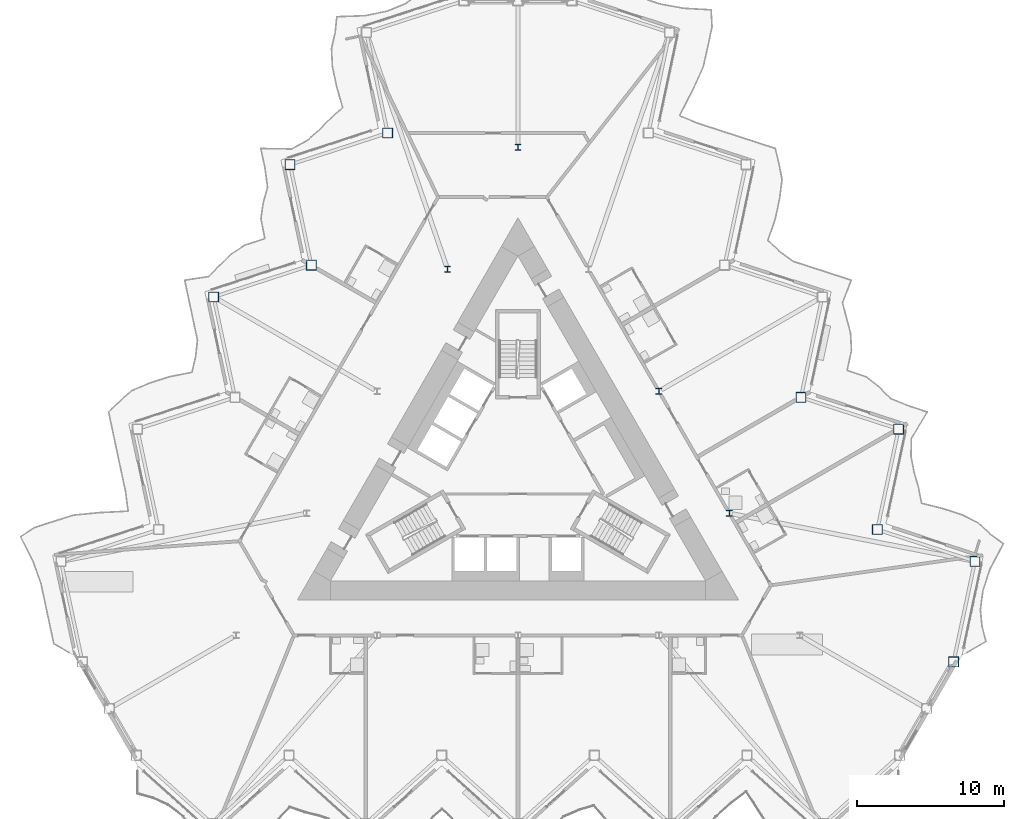
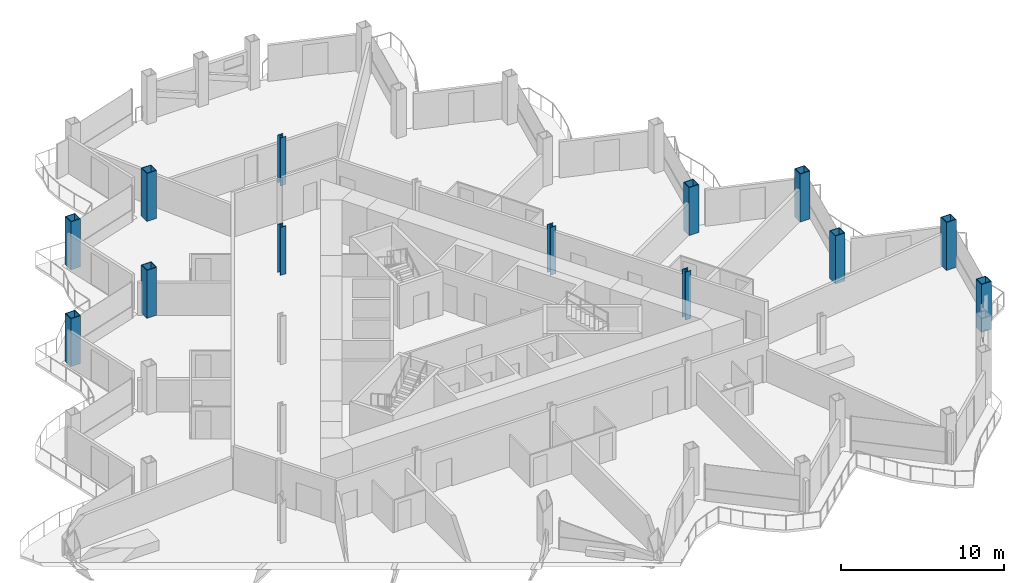
# One storey, part 2 of 24: 13 columns.
"""IFC4 building model written with IfcOpenShell, lengths in metres."""

import ifcopenshell
import ifcopenshell.guid

model = None  # the IFC model being written
_history = None  # IfcOwnerHistory: only IFC2X3 demands one
_inside = {}  # id of a spatial element -> (the spatial element, [elements in it])
_under = {}  # id of a project, library or spatial element -> (it, [spatial elements below it])
_declared = {}  # id of a project -> (the project, [libraries it declares])
_typed = {}  # id of a type object -> (the type object, [elements of that type])
_made_of = {}  # id of a material, layer set ... -> (it, [elements and type objects made of it])


def new_model(schema):
    """Start an empty IFC model of exactly this schema.

    Asked for "IFC4X3", IfcOpenShell would pick the latest addendum, in which some entities
    have other attributes; the version numbers below select the first issue.
    IFC2X3 requires an IfcOwnerHistory on every rooted entity: one is made here for all.
    """
    global model, _history
    if schema == "IFC4X3":
        model = ifcopenshell.file(schema_version=(4, 3, 0, 0))
    else:
        model = ifcopenshell.file(schema=schema)
    _inside.clear()
    _under.clear()
    _declared.clear()
    _typed.clear()
    _made_of.clear()
    _history = None
    if model.schema == "IFC2X3":
        org = make("IfcOrganization", Name="unknown")
        user = make(
            "IfcPersonAndOrganization",
            ThePerson=make("IfcPerson", FamilyName="unknown"),
            TheOrganization=org,
        )
        app = make(
            "IfcApplication",
            ApplicationDeveloper=org,
            Version="unknown",
            ApplicationFullName="unknown",
            ApplicationIdentifier="unknown",
        )
        _history = make(
            "IfcOwnerHistory",
            OwningUser=user,
            OwningApplication=app,
            ChangeAction="ADDED",
            CreationDate=0,
        )
    return model


def make(cls, **values):
    """One entity of the class cls with the attributes given. An attribute that is None is left unset."""
    return model.create_entity(
        cls, **{name: value for name, value in values.items() if value is not None}
    )


def rooted(cls, **values):
    """An entity with a GlobalId (a new one), such as an element, a storey or a relation."""
    return make(cls, GlobalId=ifcopenshell.guid.new(), OwnerHistory=_history, **values)


def si_unit(unit_type, name, prefix=None):
    """IfcSIUnit, for example si_unit("LENGTHUNIT", "METRE", prefix="MILLI")."""
    return make("IfcSIUnit", UnitType=unit_type, Prefix=prefix, Name=name)


def assignment(units):
    """IfcUnitAssignment: the units of a project."""
    return None if units is None else make("IfcUnitAssignment", Units=units)


def point(xyz):
    """IfcCartesianPoint."""
    return None if xyz is None else make("IfcCartesianPoint", Coordinates=xyz)


def direction(xyz):
    """IfcDirection."""
    return None if xyz is None else make("IfcDirection", DirectionRatios=xyz)


def frame(location, z_axis=None, x_axis=None):
    """IfcAxis2Placement3D, a coordinate frame: its origin and axes. An axis left out is left unset."""
    return make(
        "IfcAxis2Placement3D",
        Location=point(location),
        Axis=direction(z_axis),
        RefDirection=direction(x_axis),
    )


def frame_2d(location, x_axis=None):
    """IfcAxis2Placement2D, a coordinate frame in the plane: its origin and x axis."""
    return make(
        "IfcAxis2Placement2D", Location=point(location), RefDirection=direction(x_axis)
    )


def origin():
    """The frame at (0, 0, 0) with its axes left unset."""
    return frame((0.0, 0.0, 0.0))


def origin_2d():
    """The frame at (0, 0) in the plane with its x axis left unset."""
    return frame_2d((0.0, 0.0))


def place(relative_to, where):
    """IfcLocalPlacement: puts the frame where relative to a parent placement (None: the world)."""
    return make(
        "IfcLocalPlacement", PlacementRelTo=relative_to, RelativePlacement=where
    )


def context(
    kind, dimensions, precision=None, world=None, true_north=None, identifier=None
):
    """IfcGeometricRepresentationContext, for example the 3D "Model" context."""
    return make(
        "IfcGeometricRepresentationContext",
        ContextIdentifier=identifier,
        ContextType=kind,
        CoordinateSpaceDimension=dimensions,
        Precision=precision,
        WorldCoordinateSystem=world,
        TrueNorth=true_north,
    )


def subcontext(parent, identifier, kind, view, scale=None):
    """IfcGeometricRepresentationSubContext, for example "Body" below "Model"."""
    return make(
        "IfcGeometricRepresentationSubContext",
        ContextIdentifier=identifier,
        ContextType=kind,
        ParentContext=parent,
        TargetScale=scale,
        TargetView=view,
    )


def project(units=None, contexts=None):
    """IfcProject with its units and contexts."""
    return rooted(
        "IfcProject",
        Name="project",
        RepresentationContexts=contexts,
        UnitsInContext=assignment(units),
    )


def spatial(cls, under=None, at=None, **own):
    """A site, building, storey or space (cls), placed at a placement, below another one or the project."""
    s = rooted(cls, ObjectPlacement=at, **own)
    if under is not None:
        _under.setdefault(under.id(), (under, []))[1].append(s)
    return s


def profile(cls, at=None, kind="AREA", **sizes):
    """A parametric profile (cls). Its sizes go by their IFC names, for example OverallWidth=200.0."""
    return make(cls, ProfileType=kind, Position=at, **sizes)


def hollow_rectangle(**sizes):
    """IfcRectangleHollowProfileDef."""
    return profile("IfcRectangleHollowProfileDef", **sizes)


def i_section(**sizes):
    """IfcIShapeProfileDef."""
    return profile("IfcIShapeProfileDef", **sizes)


def extrude(swept, where, along, depth):
    """IfcExtrudedAreaSolid: the profile swept, set in the frame where, extruded along a direction by depth."""
    return make(
        "IfcExtrudedAreaSolid",
        SweptArea=swept,
        Position=where,
        ExtrudedDirection=direction(along),
        Depth=depth,
    )


def shape(context_of_items, identifier, shape_type, items):
    """IfcShapeRepresentation: the items that make up one representation, for example the "Body"."""
    return make(
        "IfcShapeRepresentation",
        ContextOfItems=context_of_items,
        RepresentationIdentifier=identifier,
        RepresentationType=shape_type,
        Items=items,
    )


def material(Name=None, Category=None):
    """IfcMaterial."""
    return make("IfcMaterial", Name=Name, Category=Category)


def material_profile(
    of_material, cross_section, Name=None, Category=None, Priority=None
):
    """IfcMaterialProfile: a cross section and its material."""
    return make(
        "IfcMaterialProfile",
        Name=Name,
        Material=of_material,
        Profile=cross_section,
        Priority=Priority,
        Category=Category,
    )


def profile_set(profiles, Name=None, composite=None):
    """IfcMaterialProfileSet."""
    return make(
        "IfcMaterialProfileSet",
        Name=Name,
        MaterialProfiles=profiles,
        CompositeProfile=composite,
    )


def made_of(thing, what):
    """Note that an element or type object is made of a material, layer set ...; save() writes the relation."""
    if what is not None:
        _made_of.setdefault(what.id(), (what, []))[1].append(thing)
    return thing


def type_object(cls, material=None, **own):
    """A type object (cls), such as IfcWallType, which elements share."""
    return made_of(rooted(cls, **own), material)


def element(
    cls,
    number,
    at=None,
    inside=None,
    cuts=None,
    type_object=None,
    material=None,
    context=None,
    identifier="Body",
    shape_type=None,
    held_by="IfcProductDefinitionShape",
    body=None,
    shapes=None,
    **own,
):
    """One element of the class cls, such as IfcWall. Its Tag is "e" and its number.

    at: its placement. inside: the storey or other place that contains it. cuts: it is an
    opening in that element (IfcRelVoidsElement). A single representation is given by context,
    identifier, shape_type and body (its items); several are given by shapes. held_by: the class
    of the entity that holds the representations. save() writes the other relations.
    """
    e = rooted(cls, Tag="e%d" % number, ObjectPlacement=at, **own)
    if body is not None:
        shapes = [shape(context, identifier, shape_type, body)]
    if shapes is not None:
        e.Representation = make(held_by, Representations=shapes)
    if inside is not None:
        _inside.setdefault(inside.id(), (inside, []))[1].append(e)
    if cuts is not None:
        rooted(
            "IfcRelVoidsElement", RelatingBuildingElement=cuts, RelatedOpeningElement=e
        )
    if type_object is not None:
        _typed.setdefault(type_object.id(), (type_object, []))[1].append(e)
    return made_of(e, material)


def aggregate(whole, parts):
    """IfcRelAggregates: a whole, such as a stair, and the parts it consists of."""
    return rooted("IfcRelAggregates", RelatingObject=whole, RelatedObjects=parts)


def save(model, path):
    """Write the relations noted so far, then the file.

    IfcRelAggregates (storeys below a building ...), IfcRelContainedInSpatialStructure (elements
    in a storey), IfcRelDefinesByType, IfcRelAssociatesMaterial and IfcRelDeclares: one each for
    every whole, place, type object, material and project.
    """
    for whole, parts in _under.values():
        aggregate(whole, parts)
    for where, things in _inside.values():
        rooted(
            "IfcRelContainedInSpatialStructure",
            RelatedElements=things,
            RelatingStructure=where,
        )
    for kind, things in _typed.values():
        rooted("IfcRelDefinesByType", RelatedObjects=things, RelatingType=kind)
    for what, things in _made_of.values():
        rooted("IfcRelAssociatesMaterial", RelatedObjects=things, RelatingMaterial=what)
    for by, libraries in _declared.values():
        rooted("IfcRelDeclares", RelatingContext=by, RelatedDefinitions=libraries)
    model.write(path)


model = new_model("IFC4")

# Units and contexts
model_context = context("Model", 3, precision=1e-05, world=origin(), true_north=direction((0.0, 1.0)))
body_context = subcontext(model_context, "Body", "Model", "MODEL_VIEW")
ifc_project = project(units=[si_unit("LENGTHUNIT", "METRE"), si_unit("AREAUNIT", "SQUARE_METRE"), si_unit("VOLUMEUNIT", "CUBIC_METRE"), si_unit("PLANEANGLEUNIT", "RADIAN"), si_unit("MASSUNIT", "GRAM", prefix="KILO")], contexts=[model_context])

# Site, building, storey
site_placement = place(None, origin())
site = spatial("IfcSite", under=ifc_project, at=site_placement, CompositionType="ELEMENT")
building_placement = place(site_placement, origin())
building = spatial("IfcBuilding", under=site, at=building_placement, Name="Cormorant Prow Tower", CompositionType="ELEMENT")
storey_placement = place(building_placement, frame((0.0, 0.0, 238.199951171875)))
storey = spatial("IfcBuildingStorey", under=building, at=storey_placement, Name="L52", CompositionType="ELEMENT", Elevation=238.199951171875)

# Columns
ifc_material_1 = material(Name="Structural steel ASTM A572 Gr 50", Category="steel")
ifc_material_profile_1 = material_profile(ifc_material_1, hollow_rectangle(XDim=0.699951171875, YDim=0.699951171875, WallThickness=0.044921875, at=origin_2d()), Name="Box 700x700x45")
ifc_profile_set_1 = profile_set([ifc_material_profile_1], Name="Structural steel ASTM A572 Gr 50")
column_type_1 = type_object("IfcColumnType", Name="Perimeter box column 700x700x45", PredefinedType="COLUMN", material=ifc_profile_set_1)
for number, where, z_axis, x_axis, name in (
    (1, (29.611572265625, -12.858154296875, 0.0), (0.0, 0.0, 1.0), (1.0, 0.0, 0.0), "Perimeter column C5 at ENE00 L52"),
    (2, (31.063232421875, -6.029052734375, 0.0), (0.0, 0.0, 1.0), (1.0, 0.0, 0.0), "Perimeter column C5 at ENE01 L52"),
    (3, (24.42333984375, -3.871826171875, 0.0), (0.0, 0.0, 1.0), (1.0, 0.0, 0.0), "Perimeter column C5 at ENE02 L52"),
    (4, (25.875, 2.957275390625, 0.0), (0.0, 0.0, 1.0), (1.0, 0.0, 0.0), "Perimeter column C5 at ENE03 L52"),
    (5, (19.235107421875, 5.114501953125, 0.0), (0.0, 0.0, 1.0), (1.0, 0.0, 0.0), "Perimeter column C5 at ENE04 L52"),
    (6, (-8.858642578125, 23.087158203125, 0.0), (0.0, 0.0, 1.0), (1.0, 0.0, 0.0), "Perimeter column C5 at WNW02 L52"),
    (7, (-15.49853515625, 20.9296875, 0.0), (0.0, 0.0, 1.0), (1.0, 0.0, 0.0), "Perimeter column C5 at WNW03 L52"),
    (8, (-14.046875, 14.100830078125, 0.0), (0.0, 0.0, 1.0), (1.0, 0.0, 0.0), "Perimeter column C5 at WNW04 L52"),
    (9, (-20.686767578125, 11.943359375, 0.0), (0.0, 0.0, 1.0), (1.0, 0.0, 0.0), "Perimeter column C5 at WNW05 L52"),
):
    element("IfcColumn", number, at=place(storey_placement, frame(where, z_axis=z_axis, x_axis=x_axis)), inside=storey, type_object=column_type_1, Name=name, PredefinedType="COLUMN", context=body_context, shape_type="SweptSolid", body=[
        extrude(hollow_rectangle(XDim=0.699951171875, YDim=0.699951171875, WallThickness=0.044921875, at=origin_2d()), origin(), (0.0, 0.0, 1.0), 3.60009765625),
    ])
ifc_material_2 = material(Name="Structural steel ASTM A992 Gr 50", Category="steel")
ifc_material_profile_2 = material_profile(ifc_material_2, i_section(OverallWidth=0.39892578125, OverallDepth=0.393310546875, WebThickness=0.022705078125, FlangeThickness=0.03662109375, at=origin_2d()), Name="W14x193")
ifc_profile_set_2 = profile_set([ifc_material_profile_2], Name="Structural steel ASTM A992 Gr 50")
column_type_2 = type_object("IfcColumnType", Name="Ring column W14x193", PredefinedType="COLUMN", material=ifc_profile_set_2)
for number, where, z_axis, x_axis, name in (
    (10, (0.0, 22.12060546875, 0.0), (0.0, 0.0, 1.0), (1.0, 0.0, 0.0), "Ring column 1 L52"),
    (11, (-4.789306640625, 13.8251953125, 0.0), (0.0, 0.0, 1.0), (1.0, 0.0, 0.0), "Ring column 2 L52"),
    (12, (14.36767578125, -2.76513671875, 0.0), (0.0, 0.0, 1.0), (1.0, 0.0, 0.0), "Ring column 10 L52"),
    (13, (9.578369140625, 5.530029296875, 0.0), (0.0, 0.0, 1.0), (1.0, 0.0, 0.0), "Ring column 11 L52"),
):
    element("IfcColumn", number, at=place(storey_placement, frame(where, z_axis=z_axis, x_axis=x_axis)), inside=storey, type_object=column_type_2, Name=name, PredefinedType="COLUMN", context=body_context, shape_type="SweptSolid", body=[
        extrude(i_section(OverallWidth=0.39892578125, OverallDepth=0.393310546875, WebThickness=0.022705078125, FlangeThickness=0.03662109375, at=origin_2d()), origin(), (0.0, 0.0, 1.0), 3.60009765625),
    ])

save(model, "model.ifc")
